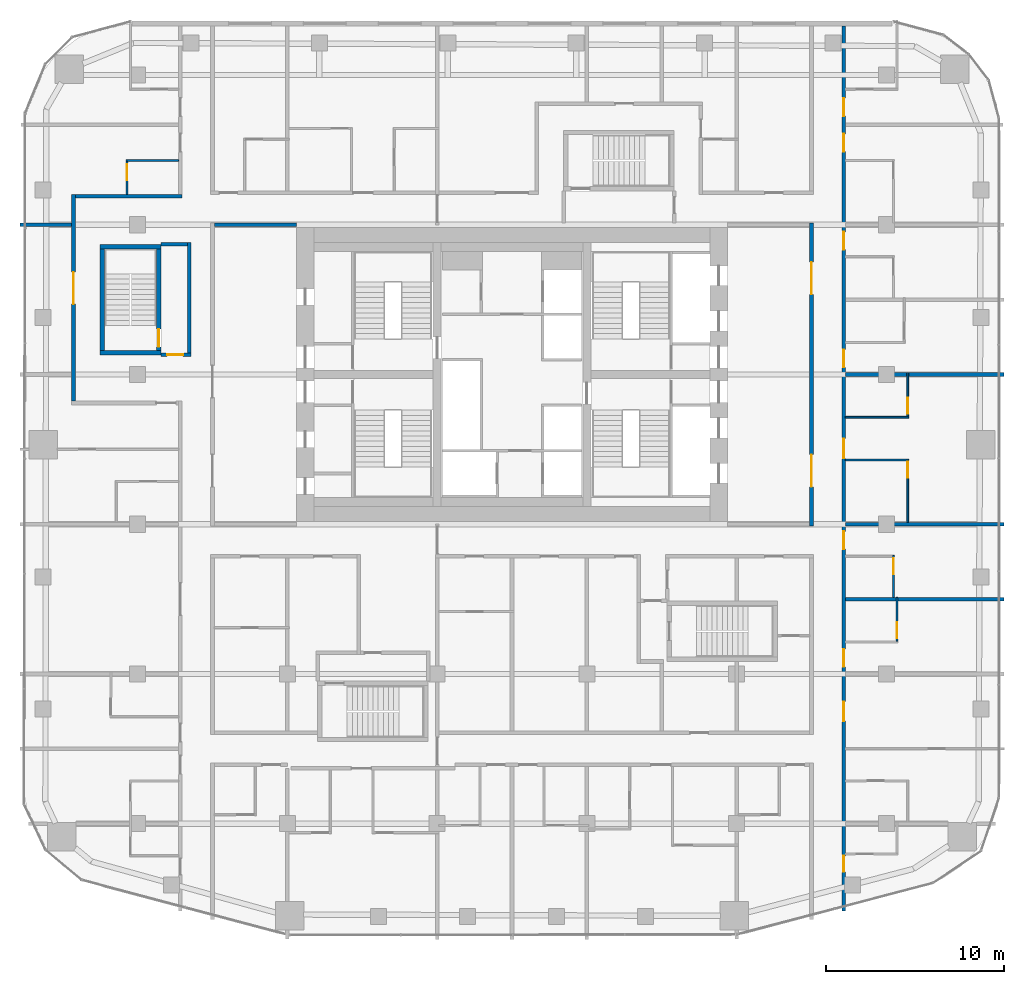
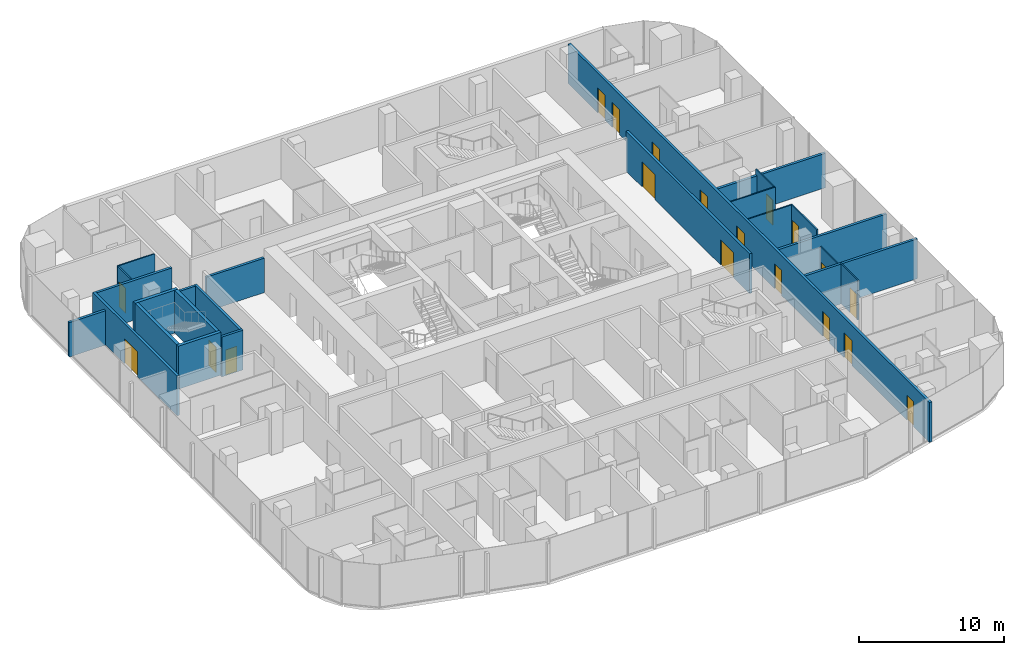
# One storey, part 18 of 23: 24 walls, 19 doors, 19 openings.
"""IFC4 building model written with IfcOpenShell, lengths in metres."""

from ifc_helpers import new_model, si_unit, direction, frame, frame_2d, origin, place, context, subcontext, project, spatial, rectangle, extrude, material, layer, layer_set, type_object, element, fill, save


model = new_model("IFC4")

# Units and contexts
model_context = context("Model", 3, precision=1e-05, world=origin(), true_north=direction((0.0, 1.0)))
body_context = subcontext(model_context, "Body", "Model", "MODEL_VIEW")
ifc_project = project(units=[si_unit("LENGTHUNIT", "METRE"), si_unit("AREAUNIT", "SQUARE_METRE"), si_unit("VOLUMEUNIT", "CUBIC_METRE"), si_unit("PLANEANGLEUNIT", "RADIAN"), si_unit("MASSUNIT", "GRAM", prefix="KILO")], contexts=[model_context])

# Site, building, storey
site_placement = place(None, origin())
site = spatial("IfcSite", under=ifc_project, at=site_placement, CompositionType="ELEMENT")
building_placement = place(site_placement, origin())
building = spatial("IfcBuilding", under=site, at=building_placement, Name="Marenta Gate Hotel Tower", CompositionType="ELEMENT")
storey_placement = place(building_placement, frame((0.0, 0.0, 126.5)))
storey = spatial("IfcBuildingStorey", under=building, at=storey_placement, Name="L28", CompositionType="ELEMENT", Elevation=126.5)

# Wall
ifc_material_1 = material(Name="Concrete blockwork", Category="masonry")
ifc_layer_1 = layer(ifc_material_1, 0.199951171875)
ifc_layer_set_1 = layer_set([ifc_layer_1], Name="Concrete blockwork")
wall_type_1 = type_object("IfcWallType", Name="Core boundary wall 200 REI 180", PredefinedType="PARTITIONING", material=ifc_layer_set_1)
wall_1_placement = place(storey_placement, frame((-16.699951171875, 16.800048828125, 0.0), z_axis=(0.0, 0.0, 1.0), x_axis=(1.0, 0.0, 0.0)))
element("IfcWall", 1, at=wall_1_placement, inside=storey, type_object=wall_type_1, Name="L28-CP-EW-WN", PredefinedType="PARTITIONING", context=body_context, shape_type="SweptSolid", body=[
    extrude(rectangle(XDim=4.599853515625, YDim=0.199951171875, at=frame_2d((2.2998046875, 0.0))), origin(), (0.0, 0.0, 1.0), 2.889892578125),
])

# Wall, openings, doors
wall_2_placement = place(storey_placement, frame((16.800048828125, -0.10009765625, 0.0), z_axis=(0.0, 0.0, 1.0), x_axis=(0.0, 1.0, 0.0)))
wall_2 = element("IfcWall", 2, at=wall_2_placement, inside=storey, type_object=wall_type_1, Name="L28-CP-BW-E", PredefinedType="PARTITIONING", context=body_context, shape_type="SweptSolid", body=[
    extrude(rectangle(XDim=17.0, YDim=0.199951171875, at=frame_2d((8.5, 0.0))), origin(), (0.0, 0.0, 1.0), 3.340087890625),
])
opening_1_placement = place(wall_2_placement, frame((2.199951171875, 0.0, 0.0)))
opening_1 = element("IfcOpeningElement", 3, at=opening_1_placement, cuts=wall_2, Name="Opening ED-Ea-B", PredefinedType="OPENING", context=body_context, shape_type="SweptSolid", body=[
    extrude(rectangle(XDim=1.800048828125, YDim=2.10009765625, at=frame_2d((0.89990234375, 1.050048828125))), frame((0.0, 0.10009765625, 0.0), z_axis=(0.0, -1.0, 0.0), x_axis=(1.0, 0.0, 0.0)), (0.0, 0.0, 1.0), 0.199951171875),
])
opening_2_placement = place(wall_2_placement, frame((13.0, 0.0, 0.0)))
opening_2 = element("IfcOpeningElement", 4, at=opening_2_placement, cuts=wall_2, Name="Opening ED-Eb-B", PredefinedType="OPENING", context=body_context, shape_type="SweptSolid", body=[
    extrude(rectangle(XDim=1.800048828125, YDim=2.10009765625, at=frame_2d((0.89990234375, 1.050048828125))), frame((0.0, 0.10009765625, 0.0), z_axis=(0.0, -1.0, 0.0), x_axis=(1.0, 0.0, 0.0)), (0.0, 0.0, 1.0), 0.199951171875),
])
ifc_material_2 = material(Name="Steel", Category="steel")
door_type_1 = type_object("IfcDoorType", Name="Core lobby entrance door 1800x2100 EI 60", OperationType="DOUBLE_DOOR_SINGLE_SWING", PredefinedType="DOOR", material=ifc_material_2)
door_1_placement = place(opening_1_placement, origin())
door_1 = element("IfcDoor", 5, at=door_1_placement, inside=storey, type_object=door_type_1, Name="ED-Ea-B", OperationType="DOUBLE_DOOR_SINGLE_SWING", OverallHeight=2.10009765625, OverallWidth=1.800048828125, PredefinedType="DOOR", context=body_context, shape_type="SweptSolid", body=[
    extrude(rectangle(XDim=1.800048828125, YDim=2.10009765625, at=frame_2d((0.89990234375, 1.050048828125))), frame((0.0, 0.02490234375, 0.0), z_axis=(0.0, -1.0, 0.0), x_axis=(1.0, 0.0, 0.0)), (0.0, 0.0, 1.0), 0.050048828125),
])
fill(opening_1, door_1)
door_2_placement = place(opening_2_placement, origin())
door_2 = element("IfcDoor", 6, at=door_2_placement, inside=storey, type_object=door_type_1, Name="ED-Eb-B", OperationType="DOUBLE_DOOR_SINGLE_SWING", OverallHeight=2.10009765625, OverallWidth=1.800048828125, PredefinedType="DOOR", context=body_context, shape_type="SweptSolid", body=[
    extrude(rectangle(XDim=1.800048828125, YDim=2.10009765625, at=frame_2d((0.89990234375, 1.050048828125))), frame((0.0, 0.02490234375, 0.0), z_axis=(0.0, -1.0, 0.0), x_axis=(1.0, 0.0, 0.0)), (0.0, 0.0, 1.0), 0.050048828125),
])
fill(opening_2, door_2)

# Walls
ifc_material_3 = material(Name="Concrete C40", Category="concrete")
ifc_layer_2 = layer(ifc_material_3, 0.25)
ifc_layer_set_2 = layer_set([ifc_layer_2], Name="Concrete C40")
wall_type_2 = type_object("IfcWallType", Name="Remote stair enclosure wall 250 REI 180", PredefinedType="SHEAR", material=ifc_layer_set_2)
for number, where, z_axis, x_axis, name in (
    (7, (-23.10009765625, 9.625, 0.10009765625), (0.0, 0.0, 1.0), (1.0, 0.0, 0.0), "L28-RS-Z1-3-W1"),
    (8, (-23.10009765625, 15.574951171875, 0.10009765625), (0.0, 0.0, 1.0), (1.0, 0.0, 0.0), "L28-RS-Z1-3-W2"),
):
    element("IfcWall", number, at=place(storey_placement, frame(where, z_axis=z_axis, x_axis=x_axis)), inside=storey, type_object=wall_type_2, Name=name, PredefinedType="SHEAR", context=body_context, shape_type="SweptSolid", body=[
        extrude(rectangle(XDim=3.400146484375, YDim=0.25, at=frame_2d((1.7001953125, 0.0))), origin(), (0.0, 0.0, 1.0), 3.599853515625),
    ])
wall_3_placement = place(storey_placement, frame((-22.97509765625, 9.75, 0.10009765625), z_axis=(0.0, 0.0, 1.0), x_axis=(0.0, 1.0, 0.0)))
element("IfcWall", 9, at=wall_3_placement, inside=storey, type_object=wall_type_2, Name="L28-RS-Z1-3-W3", PredefinedType="SHEAR", context=body_context, shape_type="SweptSolid", body=[
    extrude(rectangle(XDim=5.699951171875, YDim=0.25, at=frame_2d((2.85009765625, 0.0))), origin(), (0.0, 0.0, 1.0), 3.599853515625),
])

# Wall, opening, door
wall_4_placement = place(storey_placement, frame((-19.824951171875, 9.75, 0.10009765625), z_axis=(0.0, 0.0, 1.0), x_axis=(0.0, 1.0, 0.0)))
wall_4 = element("IfcWall", 10, at=wall_4_placement, inside=storey, type_object=wall_type_2, Name="L28-RS-Z1-3-W4", PredefinedType="SHEAR", context=body_context, shape_type="SweptSolid", body=[
    extrude(rectangle(XDim=5.699951171875, YDim=0.25, at=frame_2d((2.85009765625, 0.0))), origin(), (0.0, 0.0, 1.0), 3.599853515625),
])
opening_3_placement = place(wall_4_placement, frame((0.199951171875, 0.0, 0.0)))
opening_3 = element("IfcOpeningElement", 11, at=opening_3_placement, cuts=wall_4, Name="Opening VD", PredefinedType="OPENING", context=body_context, shape_type="SweptSolid", body=[
    extrude(rectangle(XDim=1.0, YDim=2.10009765625, at=frame_2d((0.5, 1.050048828125))), frame((0.0, 0.125, 0.0), z_axis=(0.0, -1.0, 0.0), x_axis=(1.0, 0.0, 0.0)), (0.0, 0.0, 1.0), 0.25),
])
ifc_material_4 = material(Name="Steel", Category="steel")
door_type_2 = type_object("IfcDoorType", Name="Stair vestibule door 1000x2100 FD60", OperationType="SINGLE_SWING_LEFT", PredefinedType="DOOR", material=ifc_material_4)
door_3_placement = place(opening_3_placement, origin())
door_3 = element("IfcDoor", 12, at=door_3_placement, inside=storey, type_object=door_type_2, Name="VD", OperationType="SINGLE_SWING_LEFT", OverallHeight=2.10009765625, OverallWidth=1.0, PredefinedType="DOOR", context=body_context, shape_type="SweptSolid", body=[
    extrude(rectangle(XDim=1.0, YDim=2.10009765625, at=frame_2d((0.5, 1.050048828125))), frame((0.0, 0.02490234375, 0.0), z_axis=(0.0, -1.0, 0.0), x_axis=(1.0, 0.0, 0.0)), (0.0, 0.0, 1.0), 0.050048828125),
])
fill(opening_3, door_3)

# Wall, openings, doors
ifc_material_5 = material(Name="Gypsum board on steel stud", Category="steel")
ifc_layer_3 = layer(ifc_material_5, 0.199951171875)
ifc_layer_set_3 = layer_set([ifc_layer_3], Name="Gypsum board on steel stud")
wall_type_3 = type_object("IfcWallType", Name="Room corridor wall 200 EI 60", PredefinedType="PARTITIONING", material=ifc_layer_set_3)
wall_5_placement = place(storey_placement, frame((18.60009765625, -21.7080078125, 0.0), z_axis=(0.0, 0.0, 1.0), x_axis=(0.0, 1.0, 0.0)))
wall_5 = element("IfcWall", 13, at=wall_5_placement, inside=storey, type_object=wall_type_3, Name="L28-PTN-W011", PredefinedType="PARTITIONING", context=body_context, shape_type="SweptSolid", body=[
    extrude(rectangle(XDim=49.64794921875, YDim=0.199951171875, at=frame_2d((24.823974609375, 0.0))), origin(), (0.0, 0.0, 1.0), 3.340087890625),
])
opening_4_placement = place(wall_5_placement, frame((2.2041015625, 0.0, 0.0)))
opening_4 = element("IfcOpeningElement", 14, at=opening_4_placement, cuts=wall_5, Name="Opening G10-10", PredefinedType="OPENING", context=body_context, shape_type="SweptSolid", body=[
    extrude(rectangle(XDim=0.89990234375, YDim=2.10009765625, at=frame_2d((0.449951171875, 1.050048828125))), frame((0.0, 0.10009765625, 0.0), z_axis=(0.0, -1.0, 0.0), x_axis=(1.0, 0.0, 0.0)), (0.0, 0.0, 1.0), 0.199951171875),
])
opening_5_placement = place(wall_5_placement, frame((10.657958984375, 0.0, 0.0)))
opening_5 = element("IfcOpeningElement", 15, at=opening_5_placement, cuts=wall_5, Name="Opening G10-12", PredefinedType="OPENING", context=body_context, shape_type="SweptSolid", body=[
    extrude(rectangle(XDim=1.10009765625, YDim=2.10009765625, at=frame_2d((0.550048828125, 1.050048828125))), frame((0.0, 0.10009765625, 0.0), z_axis=(0.0, -1.0, 0.0), x_axis=(1.0, 0.0, 0.0)), (0.0, 0.0, 1.0), 0.199951171875),
])
opening_6_placement = place(wall_5_placement, frame((13.7080078125, 0.0, 0.0)))
opening_6 = element("IfcOpeningElement", 16, at=opening_6_placement, cuts=wall_5, Name="Opening G10-15", PredefinedType="OPENING", context=body_context, shape_type="SweptSolid", body=[
    extrude(rectangle(XDim=1.0, YDim=2.10009765625, at=frame_2d((0.5, 1.050048828125))), frame((0.0, 0.10009765625, 0.0), z_axis=(0.0, -1.0, 0.0), x_axis=(1.0, 0.0, 0.0)), (0.0, 0.0, 1.0), 0.199951171875),
])
opening_7_placement = place(wall_5_placement, frame((20.30810546875, 0.0, 0.0)))
opening_7 = element("IfcOpeningElement", 17, at=opening_7_placement, cuts=wall_5, Name="Opening G10-17", PredefinedType="OPENING", context=body_context, shape_type="SweptSolid", body=[
    extrude(rectangle(XDim=1.0, YDim=2.10009765625, at=frame_2d((0.5, 1.050048828125))), frame((0.0, 0.10009765625, 0.0), z_axis=(0.0, -1.0, 0.0), x_axis=(1.0, 0.0, 0.0)), (0.0, 0.0, 1.0), 0.199951171875),
])
opening_8_placement = place(wall_5_placement, frame((25.407958984375, 0.0, 0.0)))
opening_8 = element("IfcOpeningElement", 18, at=opening_8_placement, cuts=wall_5, Name="Opening G10-19", PredefinedType="OPENING", context=body_context, shape_type="SweptSolid", body=[
    extrude(rectangle(XDim=1.10009765625, YDim=2.10009765625, at=frame_2d((0.550048828125, 1.050048828125))), frame((0.0, 0.10009765625, 0.0), z_axis=(0.0, -1.0, 0.0), x_axis=(1.0, 0.0, 0.0)), (0.0, 0.0, 1.0), 0.199951171875),
])
opening_9_placement = place(wall_5_placement, frame((30.508056640625, 0.0, 0.0)))
opening_9 = element("IfcOpeningElement", 19, at=opening_9_placement, cuts=wall_5, Name="Opening G10-22", PredefinedType="OPENING", context=body_context, shape_type="SweptSolid", body=[
    extrude(rectangle(XDim=1.0, YDim=2.10009765625, at=frame_2d((0.5, 1.050048828125))), frame((0.0, 0.10009765625, 0.0), z_axis=(0.0, -1.0, 0.0), x_axis=(1.0, 0.0, 0.0)), (0.0, 0.0, 1.0), 0.199951171875),
])
opening_10_placement = place(wall_5_placement, frame((37.10791015625, 0.0, 0.0)))
opening_10 = element("IfcOpeningElement", 20, at=opening_10_placement, cuts=wall_5, Name="Opening G10-24", PredefinedType="OPENING", context=body_context, shape_type="SweptSolid", body=[
    extrude(rectangle(XDim=1.0, YDim=2.10009765625, at=frame_2d((0.5, 1.050048828125))), frame((0.0, 0.10009765625, 0.0), z_axis=(0.0, -1.0, 0.0), x_axis=(1.0, 0.0, 0.0)), (0.0, 0.0, 1.0), 0.199951171875),
])
opening_11_placement = place(wall_5_placement, frame((42.60791015625, 0.0, 0.0)))
opening_11 = element("IfcOpeningElement", 21, at=opening_11_placement, cuts=wall_5, Name="Opening G10-26", PredefinedType="OPENING", context=body_context, shape_type="SweptSolid", body=[
    extrude(rectangle(XDim=1.0, YDim=2.10009765625, at=frame_2d((0.5, 1.050048828125))), frame((0.0, 0.10009765625, 0.0), z_axis=(0.0, -1.0, 0.0), x_axis=(1.0, 0.0, 0.0)), (0.0, 0.0, 1.0), 0.199951171875),
])
opening_12_placement = place(wall_5_placement, frame((44.60791015625, 0.0, 0.0)))
opening_12 = element("IfcOpeningElement", 22, at=opening_12_placement, cuts=wall_5, Name="Opening G10-28", PredefinedType="OPENING", context=body_context, shape_type="SweptSolid", body=[
    extrude(rectangle(XDim=1.0, YDim=2.10009765625, at=frame_2d((0.5, 1.050048828125))), frame((0.0, 0.10009765625, 0.0), z_axis=(0.0, -1.0, 0.0), x_axis=(1.0, 0.0, 0.0)), (0.0, 0.0, 1.0), 0.199951171875),
])
ifc_material_6 = material(Name="Timber door leaf", Category="wood")
door_type_3 = type_object("IfcDoorType", Name="Guest room door 1000x2100 EI 30", OperationType="NOTDEFINED", PredefinedType="DOOR", material=ifc_material_6)
door_4_placement = place(opening_6_placement, origin())
door_4 = element("IfcDoor", 23, at=door_4_placement, inside=storey, type_object=door_type_3, Name="L28-PD-D015", OperationType="SINGLE_SWING_LEFT", OverallHeight=2.10009765625, OverallWidth=1.0, PredefinedType="DOOR", context=body_context, shape_type="SweptSolid", body=[
    extrude(rectangle(XDim=1.0, YDim=2.10009765625, at=frame_2d((0.5, 1.050048828125))), frame((0.0, 0.02490234375, 0.0), z_axis=(0.0, -1.0, 0.0), x_axis=(1.0, 0.0, 0.0)), (0.0, 0.0, 1.0), 0.050048828125),
])
fill(opening_6, door_4)
door_5_placement = place(opening_7_placement, origin())
door_5 = element("IfcDoor", 24, at=door_5_placement, inside=storey, type_object=door_type_3, Name="L28-PD-D017", OperationType="SINGLE_SWING_LEFT", OverallHeight=2.10009765625, OverallWidth=1.0, PredefinedType="DOOR", context=body_context, shape_type="SweptSolid", body=[
    extrude(rectangle(XDim=1.0, YDim=2.10009765625, at=frame_2d((0.5, 1.050048828125))), frame((0.0, 0.02490234375, 0.0), z_axis=(0.0, -1.0, 0.0), x_axis=(1.0, 0.0, 0.0)), (0.0, 0.0, 1.0), 0.050048828125),
])
fill(opening_7, door_5)
door_6_placement = place(opening_9_placement, origin())
door_6 = element("IfcDoor", 25, at=door_6_placement, inside=storey, type_object=door_type_3, Name="L28-PD-D022", OperationType="SINGLE_SWING_RIGHT", OverallHeight=2.10009765625, OverallWidth=1.0, PredefinedType="DOOR", context=body_context, shape_type="SweptSolid", body=[
    extrude(rectangle(XDim=1.0, YDim=2.10009765625, at=frame_2d((0.5, 1.050048828125))), frame((0.0, 0.02490234375, 0.0), z_axis=(0.0, -1.0, 0.0), x_axis=(1.0, 0.0, 0.0)), (0.0, 0.0, 1.0), 0.050048828125),
])
fill(opening_9, door_6)
door_7_placement = place(opening_10_placement, origin())
door_7 = element("IfcDoor", 26, at=door_7_placement, inside=storey, type_object=door_type_3, Name="L28-PD-D024", OperationType="SINGLE_SWING_RIGHT", OverallHeight=2.10009765625, OverallWidth=1.0, PredefinedType="DOOR", context=body_context, shape_type="SweptSolid", body=[
    extrude(rectangle(XDim=1.0, YDim=2.10009765625, at=frame_2d((0.5, 1.050048828125))), frame((0.0, 0.02490234375, 0.0), z_axis=(0.0, -1.0, 0.0), x_axis=(1.0, 0.0, 0.0)), (0.0, 0.0, 1.0), 0.050048828125),
])
fill(opening_10, door_7)
door_8_placement = place(opening_11_placement, origin())
door_8 = element("IfcDoor", 27, at=door_8_placement, inside=storey, type_object=door_type_3, Name="L28-PD-D026", OperationType="SINGLE_SWING_RIGHT", OverallHeight=2.10009765625, OverallWidth=1.0, PredefinedType="DOOR", context=body_context, shape_type="SweptSolid", body=[
    extrude(rectangle(XDim=1.0, YDim=2.10009765625, at=frame_2d((0.5, 1.050048828125))), frame((0.0, 0.02490234375, 0.0), z_axis=(0.0, -1.0, 0.0), x_axis=(1.0, 0.0, 0.0)), (0.0, 0.0, 1.0), 0.050048828125),
])
fill(opening_11, door_8)
door_9_placement = place(opening_12_placement, origin())
door_9 = element("IfcDoor", 28, at=door_9_placement, inside=storey, type_object=door_type_3, Name="L28-PD-D028", OperationType="SINGLE_SWING_RIGHT", OverallHeight=2.10009765625, OverallWidth=1.0, PredefinedType="DOOR", context=body_context, shape_type="SweptSolid", body=[
    extrude(rectangle(XDim=1.0, YDim=2.10009765625, at=frame_2d((0.5, 1.050048828125))), frame((0.0, 0.02490234375, 0.0), z_axis=(0.0, -1.0, 0.0), x_axis=(1.0, 0.0, 0.0)), (0.0, 0.0, 1.0), 0.050048828125),
])
fill(opening_12, door_9)
ifc_material_7 = material(Name="Timber door leaf", Category="wood")
door_type_4 = type_object("IfcDoorType", Name="Guest room door 1100x2100 EI 30", OperationType="NOTDEFINED", PredefinedType="DOOR", material=ifc_material_7)
door_10_placement = place(opening_5_placement, origin())
door_10 = element("IfcDoor", 29, at=door_10_placement, inside=storey, type_object=door_type_4, Name="L28-PD-D012", OperationType="SINGLE_SWING_RIGHT", OverallHeight=2.10009765625, OverallWidth=1.10009765625, PredefinedType="DOOR", context=body_context, shape_type="SweptSolid", body=[
    extrude(rectangle(XDim=1.10009765625, YDim=2.10009765625, at=frame_2d((0.550048828125, 1.050048828125))), frame((0.0, 0.02490234375, 0.0), z_axis=(0.0, -1.0, 0.0), x_axis=(1.0, 0.0, 0.0)), (0.0, 0.0, 1.0), 0.050048828125),
])
fill(opening_5, door_10)
door_11_placement = place(opening_8_placement, origin())
door_11 = element("IfcDoor", 30, at=door_11_placement, inside=storey, type_object=door_type_4, Name="L28-PD-D019", OperationType="SINGLE_SWING_RIGHT", OverallHeight=2.10009765625, OverallWidth=1.10009765625, PredefinedType="DOOR", context=body_context, shape_type="SweptSolid", body=[
    extrude(rectangle(XDim=1.10009765625, YDim=2.10009765625, at=frame_2d((0.550048828125, 1.050048828125))), frame((0.0, 0.02490234375, 0.0), z_axis=(0.0, -1.0, 0.0), x_axis=(1.0, 0.0, 0.0)), (0.0, 0.0, 1.0), 0.050048828125),
])
fill(opening_8, door_11)
ifc_material_8 = material(Name="Timber door leaf", Category="wood")
door_type_5 = type_object("IfcDoorType", Name="Guest room door 900x2100 EI 30", OperationType="NOTDEFINED", PredefinedType="DOOR", material=ifc_material_8)
door_12_placement = place(opening_4_placement, origin())
door_12 = element("IfcDoor", 31, at=door_12_placement, inside=storey, type_object=door_type_5, Name="L28-PD-D010", OperationType="SINGLE_SWING_LEFT", OverallHeight=2.10009765625, OverallWidth=0.89990234375, PredefinedType="DOOR", context=body_context, shape_type="SweptSolid", body=[
    extrude(rectangle(XDim=0.89990234375, YDim=2.10009765625, at=frame_2d((0.449951171875, 1.050048828125))), frame((0.0, 0.02490234375, 0.0), z_axis=(0.0, -1.0, 0.0), x_axis=(1.0, 0.0, 0.0)), (0.0, 0.0, 1.0), 0.050048828125),
])
fill(opening_4, door_12)

# Wall
wall_6_placement = place(storey_placement, frame((-24.5, 18.39990234375, 0.0), z_axis=(0.0, 0.0, 1.0), x_axis=(1.0, 0.0, 0.0)))
element("IfcWall", 32, at=wall_6_placement, inside=storey, type_object=wall_type_3, Name="L28-PTN-W110", PredefinedType="PARTITIONING", context=body_context, shape_type="SweptSolid", body=[
    extrude(rectangle(XDim=6.0, YDim=0.199951171875, at=frame_2d((3.0, 0.0))), origin(), (0.0, 0.0, 1.0), 3.340087890625),
])

# Wall, opening, door
wall_7_placement = place(storey_placement, frame((-24.60009765625, 6.89990234375, 0.0), z_axis=(0.0, 0.0, 1.0), x_axis=(0.0, 1.0, 0.0)))
wall_7 = element("IfcWall", 33, at=wall_7_placement, inside=storey, type_object=wall_type_3, Name="L28-PTN-W131", PredefinedType="PARTITIONING", context=body_context, shape_type="SweptSolid", body=[
    extrude(rectangle(XDim=11.60009765625, YDim=0.199951171875, at=frame_2d((5.800048828125, 0.0))), origin(), (0.0, 0.0, 1.0), 3.340087890625),
])
opening_13_placement = place(wall_7_placement, frame((5.449951171875, 0.0, 0.0)))
opening_13 = element("IfcOpeningElement", 34, at=opening_13_placement, cuts=wall_7, Name="Opening G10-64", PredefinedType="OPENING", context=body_context, shape_type="SweptSolid", body=[
    extrude(rectangle(XDim=1.800048828125, YDim=2.10009765625, at=frame_2d((0.89990234375, 1.050048828125))), frame((0.0, 0.10009765625, 0.0), z_axis=(0.0, -1.0, 0.0), x_axis=(1.0, 0.0, 0.0)), (0.0, 0.0, 1.0), 0.199951171875),
])
ifc_material_9 = material(Name="Timber door leaf", Category="wood")
door_type_6 = type_object("IfcDoorType", Name="Room amenity door 1800x2100 EI 30", OperationType="DOUBLE_DOOR_SINGLE_SWING", PredefinedType="DOOR", material=ifc_material_9)
door_13_placement = place(opening_13_placement, origin())
door_13 = element("IfcDoor", 35, at=door_13_placement, inside=storey, type_object=door_type_6, Name="L28-PD-D064", OperationType="DOUBLE_DOOR_SINGLE_SWING", OverallHeight=2.10009765625, OverallWidth=1.800048828125, PredefinedType="DOOR", context=body_context, shape_type="SweptSolid", body=[
    extrude(rectangle(XDim=1.800048828125, YDim=2.10009765625, at=frame_2d((0.89990234375, 1.050048828125))), frame((0.0, 0.02490234375, 0.0), z_axis=(0.0, -1.0, 0.0), x_axis=(1.0, 0.0, 0.0)), (0.0, 0.0, 1.0), 0.050048828125),
])
fill(opening_13, door_13)

ifc_material_10 = material(Name="Concrete blockwork", Category="masonry")
ifc_layer_4 = layer(ifc_material_10, 0.199951171875)
ifc_layer_set_4 = layer_set([ifc_layer_4], Name="Concrete blockwork")
wall_type_4 = type_object("IfcWallType", Name="Room corridor wall 200 REI 180", PredefinedType="PARTITIONING", material=ifc_layer_set_4)
wall_8_placement = place(storey_placement, frame((-19.699951171875, 9.5, 0.0), z_axis=(0.0, 0.0, 1.0), x_axis=(1.0, 0.0, 0.0)))
wall_8 = element("IfcWall", 36, at=wall_8_placement, inside=storey, type_object=wall_type_4, Name="L28-PTN-W092", PredefinedType="PARTITIONING", context=body_context, shape_type="SweptSolid", body=[
    extrude(rectangle(XDim=1.699951171875, YDim=0.199951171875, at=frame_2d((0.85009765625, 0.0))), origin(), (0.0, 0.0, 1.0), 3.340087890625),
])
opening_14_placement = place(wall_8_placement, frame((0.35009765625, 0.0, 0.0)))
opening_14 = element("IfcOpeningElement", 37, at=opening_14_placement, cuts=wall_8, Name="Opening G10-69", PredefinedType="OPENING", context=body_context, shape_type="SweptSolid", body=[
    extrude(rectangle(XDim=0.89990234375, YDim=2.10009765625, at=frame_2d((0.449951171875, 1.050048828125))), frame((0.0, 0.10009765625, 0.0), z_axis=(0.0, -1.0, 0.0), x_axis=(1.0, 0.0, 0.0)), (0.0, 0.0, 1.0), 0.199951171875),
])
ifc_material_11 = material(Name="Hollow steel door set", Category="steel")
door_type_7 = type_object("IfcDoorType", Name="Stair vestibule door 900x2100 EI 60", OperationType="NOTDEFINED", PredefinedType="DOOR", material=ifc_material_11)
door_14_placement = place(opening_14_placement, origin())
door_14 = element("IfcDoor", 38, at=door_14_placement, inside=storey, type_object=door_type_7, Name="L28-PD-D069", OperationType="SINGLE_SWING_RIGHT", OverallHeight=2.10009765625, OverallWidth=0.89990234375, PredefinedType="DOOR", context=body_context, shape_type="SweptSolid", body=[
    extrude(rectangle(XDim=0.89990234375, YDim=2.10009765625, at=frame_2d((0.449951171875, 1.050048828125))), frame((0.0, 0.02490234375, 0.0), z_axis=(0.0, -1.0, 0.0), x_axis=(1.0, 0.0, 0.0)), (0.0, 0.0, 1.0), 0.050048828125),
])
fill(opening_14, door_14)

# Walls
wall_9_placement = place(storey_placement, frame((-19.699951171875, 15.699951171875, 0.0), z_axis=(0.0, 0.0, 1.0), x_axis=(1.0, 0.0, 0.0)))
element("IfcWall", 39, at=wall_9_placement, inside=storey, type_object=wall_type_4, Name="L28-PTN-W103", PredefinedType="PARTITIONING", context=body_context, shape_type="SweptSolid", body=[
    extrude(rectangle(XDim=1.5, YDim=0.199951171875, at=frame_2d((0.75, 0.0))), origin(), (0.0, 0.0, 1.0), 3.340087890625),
])
wall_10_placement = place(storey_placement, frame((-18.10009765625, 9.60009765625, 0.0), z_axis=(0.0, 0.0, 1.0), x_axis=(0.0, 1.0, 0.0)))
element("IfcWall", 40, at=wall_10_placement, inside=storey, type_object=wall_type_4, Name="L28-PTN-W109", PredefinedType="PARTITIONING", context=body_context, shape_type="SweptSolid", body=[
    extrude(rectangle(XDim=6.199951171875, YDim=0.199951171875, at=frame_2d((3.10009765625, 0.0))), origin(), (0.0, 0.0, 1.0), 3.340087890625),
])

# Wall, opening, door
ifc_material_12 = material(Name="Gypsum board on steel stud", Category="steel")
ifc_layer_5 = layer(ifc_material_12, 0.10009765625)
ifc_layer_set_5 = layer_set([ifc_layer_5], Name="Gypsum board on steel stud")
wall_type_5 = type_object("IfcWallType", Name="Room partition 100", PredefinedType="PARTITIONING", material=ifc_layer_set_5)
wall_11_placement = place(storey_placement, frame((22.199951171875, 0.10009765625, 0.0), z_axis=(0.0, 0.0, 1.0), x_axis=(0.0, 1.0, 0.0)))
wall_11 = element("IfcWall", 41, at=wall_11_placement, inside=storey, type_object=wall_type_5, Name="L28-PTN-W002", PredefinedType="PARTITIONING", context=body_context, shape_type="SweptSolid", body=[
    extrude(rectangle(XDim=3.5498046875, YDim=0.10009765625, at=frame_2d((1.77490234375, 0.0))), origin(), (0.0, 0.0, 1.0), 3.340087890625),
])
opening_15_placement = place(wall_11_placement, frame((2.5, 0.0, 0.0)))
opening_15 = element("IfcOpeningElement", 42, at=opening_15_placement, cuts=wall_11, Name="Opening G10-20", PredefinedType="OPENING", context=body_context, shape_type="SweptSolid", body=[
    extrude(rectangle(XDim=0.89990234375, YDim=2.10009765625, at=frame_2d((0.449951171875, 1.050048828125))), frame((0.0, 0.050048828125, 0.0), z_axis=(0.0, -1.0, 0.0), x_axis=(1.0, 0.0, 0.0)), (0.0, 0.0, 1.0), 0.10009765625),
])
ifc_material_13 = material(Name="Timber door leaf", Category="wood")
door_type_8 = type_object("IfcDoorType", Name="Guest bathroom door 900x2100", OperationType="NOTDEFINED", PredefinedType="DOOR", material=ifc_material_13)
door_15_placement = place(opening_15_placement, origin())
door_15 = element("IfcDoor", 43, at=door_15_placement, inside=storey, type_object=door_type_8, Name="L28-PD-D020", OperationType="SINGLE_SWING_RIGHT", OverallHeight=2.10009765625, OverallWidth=0.89990234375, PredefinedType="DOOR", context=body_context, shape_type="SweptSolid", body=[
    extrude(rectangle(XDim=0.89990234375, YDim=2.10009765625, at=frame_2d((0.449951171875, 1.050048828125))), frame((0.0, 0.02490234375, 0.0), z_axis=(0.0, -1.0, 0.0), x_axis=(1.0, 0.0, 0.0)), (0.0, 0.0, 1.0), 0.050048828125),
])
fill(opening_15, door_15)

wall_12_placement = place(storey_placement, frame((22.199951171875, 6.050048828125, 0.0), z_axis=(0.0, 0.0, 1.0), x_axis=(0.0, 1.0, 0.0)))
wall_12 = element("IfcWall", 44, at=wall_12_placement, inside=storey, type_object=wall_type_5, Name="L28-PTN-W003", PredefinedType="PARTITIONING", context=body_context, shape_type="SweptSolid", body=[
    extrude(rectangle(XDim=2.449951171875, YDim=0.10009765625, at=frame_2d((1.22509765625, 0.0))), origin(), (0.0, 0.0, 1.0), 3.340087890625),
])
opening_16_placement = place(wall_12_placement, frame((0.14990234375, 0.0, 0.0)))
opening_16 = element("IfcOpeningElement", 45, at=opening_16_placement, cuts=wall_12, Name="Opening G10-21", PredefinedType="OPENING", context=body_context, shape_type="SweptSolid", body=[
    extrude(rectangle(XDim=0.89990234375, YDim=2.10009765625, at=frame_2d((0.449951171875, 1.050048828125))), frame((0.0, 0.050048828125, 0.0), z_axis=(0.0, -1.0, 0.0), x_axis=(1.0, 0.0, 0.0)), (0.0, 0.0, 1.0), 0.10009765625),
])
ifc_material_14 = material(Name="Timber door leaf", Category="wood")
door_type_9 = type_object("IfcDoorType", Name="Room inner door 900x2100", OperationType="NOTDEFINED", PredefinedType="DOOR", material=ifc_material_14)
door_16_placement = place(opening_16_placement, origin())
door_16 = element("IfcDoor", 46, at=door_16_placement, inside=storey, type_object=door_type_9, Name="L28-PD-D021", OperationType="SINGLE_SWING_LEFT", OverallHeight=2.10009765625, OverallWidth=0.89990234375, PredefinedType="DOOR", context=body_context, shape_type="SweptSolid", body=[
    extrude(rectangle(XDim=0.89990234375, YDim=2.10009765625, at=frame_2d((0.449951171875, 1.050048828125))), frame((0.0, 0.02490234375, 0.0), z_axis=(0.0, -1.0, 0.0), x_axis=(1.0, 0.0, 0.0)), (0.0, 0.0, 1.0), 0.050048828125),
])
fill(opening_16, door_16)

wall_13_placement = place(storey_placement, frame((21.60009765625, -6.550048828125, 0.0), z_axis=(0.0, 0.0, 1.0), x_axis=(0.0, 1.0, 0.0)))
wall_13 = element("IfcWall", 47, at=wall_13_placement, inside=storey, type_object=wall_type_5, Name="L28-PTN-W006", PredefinedType="PARTITIONING", context=body_context, shape_type="SweptSolid", body=[
    extrude(rectangle(XDim=2.449951171875, YDim=0.10009765625, at=frame_2d((1.22509765625, 0.0))), origin(), (0.0, 0.0, 1.0), 3.340087890625),
])
opening_17_placement = place(wall_13_placement, frame((0.14990234375, 0.0, 0.0)))
opening_17 = element("IfcOpeningElement", 48, at=opening_17_placement, cuts=wall_13, Name="Opening G10-16", PredefinedType="OPENING", context=body_context, shape_type="SweptSolid", body=[
    extrude(rectangle(XDim=0.89990234375, YDim=2.10009765625, at=frame_2d((0.449951171875, 1.050048828125))), frame((0.0, 0.050048828125, 0.0), z_axis=(0.0, -1.0, 0.0), x_axis=(1.0, 0.0, 0.0)), (0.0, 0.0, 1.0), 0.10009765625),
])
door_17_placement = place(opening_17_placement, origin())
door_17 = element("IfcDoor", 49, at=door_17_placement, inside=storey, type_object=door_type_8, Name="L28-PD-D016", OperationType="SINGLE_SWING_LEFT", OverallHeight=2.10009765625, OverallWidth=0.89990234375, PredefinedType="DOOR", context=body_context, shape_type="SweptSolid", body=[
    extrude(rectangle(XDim=0.89990234375, YDim=2.10009765625, at=frame_2d((0.449951171875, 1.050048828125))), frame((0.0, 0.02490234375, 0.0), z_axis=(0.0, -1.0, 0.0), x_axis=(1.0, 0.0, 0.0)), (0.0, 0.0, 1.0), 0.050048828125),
])
fill(opening_17, door_17)

wall_14_placement = place(storey_placement, frame((21.39990234375, -4.10009765625, 0.0), z_axis=(0.0, 0.0, 1.0), x_axis=(0.0, 1.0, 0.0)))
wall_14 = element("IfcWall", 50, at=wall_14_placement, inside=storey, type_object=wall_type_5, Name="L28-PTN-W008", PredefinedType="PARTITIONING", context=body_context, shape_type="SweptSolid", body=[
    extrude(rectangle(XDim=2.35009765625, YDim=0.10009765625, at=frame_2d((1.175048828125, 0.0))), origin(), (0.0, 0.0, 1.0), 3.340087890625),
])
opening_18_placement = place(wall_14_placement, frame((1.300048828125, 0.0, 0.0)))
opening_18 = element("IfcOpeningElement", 51, at=opening_18_placement, cuts=wall_14, Name="Opening G10-18", PredefinedType="OPENING", context=body_context, shape_type="SweptSolid", body=[
    extrude(rectangle(XDim=0.89990234375, YDim=2.10009765625, at=frame_2d((0.449951171875, 1.050048828125))), frame((0.0, 0.050048828125, 0.0), z_axis=(0.0, -1.0, 0.0), x_axis=(1.0, 0.0, 0.0)), (0.0, 0.0, 1.0), 0.10009765625),
])
door_18_placement = place(opening_18_placement, origin())
door_18 = element("IfcDoor", 52, at=door_18_placement, inside=storey, type_object=door_type_8, Name="L28-PD-D018", OperationType="SINGLE_SWING_RIGHT", OverallHeight=2.10009765625, OverallWidth=0.89990234375, PredefinedType="DOOR", context=body_context, shape_type="SweptSolid", body=[
    extrude(rectangle(XDim=0.89990234375, YDim=2.10009765625, at=frame_2d((0.449951171875, 1.050048828125))), frame((0.0, 0.02490234375, 0.0), z_axis=(0.0, -1.0, 0.0), x_axis=(1.0, 0.0, 0.0)), (0.0, 0.0, 1.0), 0.050048828125),
])
fill(opening_18, door_18)

# Walls
wall_15_placement = place(storey_placement, frame((18.699951171875, 3.60009765625, 0.0), z_axis=(0.0, 0.0, 1.0), x_axis=(1.0, 0.0, 0.0)))
element("IfcWall", 53, at=wall_15_placement, inside=storey, type_object=wall_type_5, Name="L28-PTN-W078", PredefinedType="PARTITIONING", context=body_context, shape_type="SweptSolid", body=[
    extrude(rectangle(XDim=3.449951171875, YDim=0.10009765625, at=frame_2d((1.72509765625, 0.0))), origin(), (0.0, 0.0, 1.0), 3.340087890625),
])
wall_16_placement = place(storey_placement, frame((18.699951171875, 6.0, 0.0), z_axis=(0.0, 0.0, 1.0), x_axis=(1.0, 0.0, 0.0)))
element("IfcWall", 54, at=wall_16_placement, inside=storey, type_object=wall_type_5, Name="L28-PTN-W084", PredefinedType="PARTITIONING", context=body_context, shape_type="SweptSolid", body=[
    extrude(rectangle(XDim=3.550048828125, YDim=0.10009765625, at=frame_2d((1.77490234375, 0.0))), origin(), (0.0, 0.0, 1.0), 3.340087890625),
])
wall_17_placement = place(storey_placement, frame((-21.64990234375, 20.39990234375, 0.0), z_axis=(0.0, 0.0, 1.0), x_axis=(1.0, 0.0, 0.0)))
element("IfcWall", 55, at=wall_17_placement, inside=storey, type_object=wall_type_5, Name="L28-PTN-W115", PredefinedType="PARTITIONING", context=body_context, shape_type="SweptSolid", body=[
    extrude(rectangle(XDim=2.949951171875, YDim=0.10009765625, at=frame_2d((1.47509765625, 0.0))), origin(), (0.0, 0.0, 1.0), 3.340087890625),
])

# Wall, opening, door
wall_18_placement = place(storey_placement, frame((-21.60009765625, 18.5, 0.0), z_axis=(0.0, 0.0, 1.0), x_axis=(0.0, 1.0, 0.0)))
wall_18 = element("IfcWall", 56, at=wall_18_placement, inside=storey, type_object=wall_type_5, Name="L28-PTN-W119", PredefinedType="PARTITIONING", context=body_context, shape_type="SweptSolid", body=[
    extrude(rectangle(XDim=1.85009765625, YDim=0.10009765625, at=frame_2d((0.925048828125, 0.0))), origin(), (0.0, 0.0, 1.0), 3.340087890625),
])
opening_19_placement = place(wall_18_placement, frame((0.800048828125, 0.0, 0.0)))
opening_19 = element("IfcOpeningElement", 57, at=opening_19_placement, cuts=wall_18, Name="Opening G10-66", PredefinedType="OPENING", context=body_context, shape_type="SweptSolid", body=[
    extrude(rectangle(XDim=0.89990234375, YDim=2.10009765625, at=frame_2d((0.449951171875, 1.050048828125))), frame((0.0, 0.050048828125, 0.0), z_axis=(0.0, -1.0, 0.0), x_axis=(1.0, 0.0, 0.0)), (0.0, 0.0, 1.0), 0.10009765625),
])
door_19_placement = place(opening_19_placement, origin())
door_19 = element("IfcDoor", 58, at=door_19_placement, inside=storey, type_object=door_type_8, Name="L28-PD-D066", OperationType="SINGLE_SWING_LEFT", OverallHeight=2.10009765625, OverallWidth=0.89990234375, PredefinedType="DOOR", context=body_context, shape_type="SweptSolid", body=[
    extrude(rectangle(XDim=0.89990234375, YDim=2.10009765625, at=frame_2d((0.449951171875, 1.050048828125))), frame((0.0, 0.02490234375, 0.0), z_axis=(0.0, -1.0, 0.0), x_axis=(1.0, 0.0, 0.0)), (0.0, 0.0, 1.0), 0.050048828125),
])
fill(opening_19, door_19)

# Walls
ifc_material_15 = material(Name="Gypsum board on steel stud", Category="steel")
ifc_layer_6 = layer(ifc_material_15, 0.199951171875)
ifc_layer_set_6 = layer_set([ifc_layer_6], Name="Gypsum board on steel stud")
wall_type_6 = type_object("IfcWallType", Name="Room party wall 200 EI 60", PredefinedType="PARTITIONING", material=ifc_layer_set_6)
wall_19_placement = place(storey_placement, frame((18.699951171875, -4.199951171875, 0.0), z_axis=(0.0, 0.0, 1.0), x_axis=(1.0, 0.0, 0.0)))
element("IfcWall", 59, at=wall_19_placement, inside=storey, type_object=wall_type_6, Name="L28-PTN-W064", PredefinedType="PARTITIONING", context=body_context, shape_type="SweptSolid", body=[
    extrude(rectangle(XDim=8.900146484375, YDim=0.199951171875, at=frame_2d((4.4501953125, 0.0))), origin(), (0.0, 0.0, 1.0), 3.340087890625),
])
for number, where, z_axis, x_axis, name in (
    (60, (18.699951171875, 0.0, 0.0), (0.0, 0.0, 1.0), (1.0, 0.0, 0.0), "L28-PTN-W075"),
    (61, (18.699951171875, 8.39990234375, 0.0), (0.0, 0.0, 1.0), (1.0, 0.0, 0.0), "L28-PTN-W089"),
):
    element("IfcWall", number, at=place(storey_placement, frame(where, z_axis=z_axis, x_axis=x_axis)), inside=storey, type_object=wall_type_6, Name=name, PredefinedType="PARTITIONING", context=body_context, shape_type="SweptSolid", body=[
        extrude(rectangle(XDim=8.900146484375, YDim=0.199951171875, at=frame_2d((4.4501953125, 0.0))), origin(), (0.0, 0.0, 1.0), 2.889892578125),
    ])
wall_20_placement = place(storey_placement, frame((-27.60009765625, 16.800048828125, 0.0), z_axis=(0.0, 0.0, 1.0), x_axis=(1.0, 0.0, 0.0)))
element("IfcWall", 62, at=wall_20_placement, inside=storey, type_object=wall_type_6, Name="L28-PTN-W107", PredefinedType="PARTITIONING", context=body_context, shape_type="SweptSolid", body=[
    extrude(rectangle(XDim=2.900146484375, YDim=0.199951171875, at=frame_2d((1.4501953125, 0.0))), origin(), (0.0, 0.0, 1.0), 2.889892578125),
])

save(model, "model.ifc")
